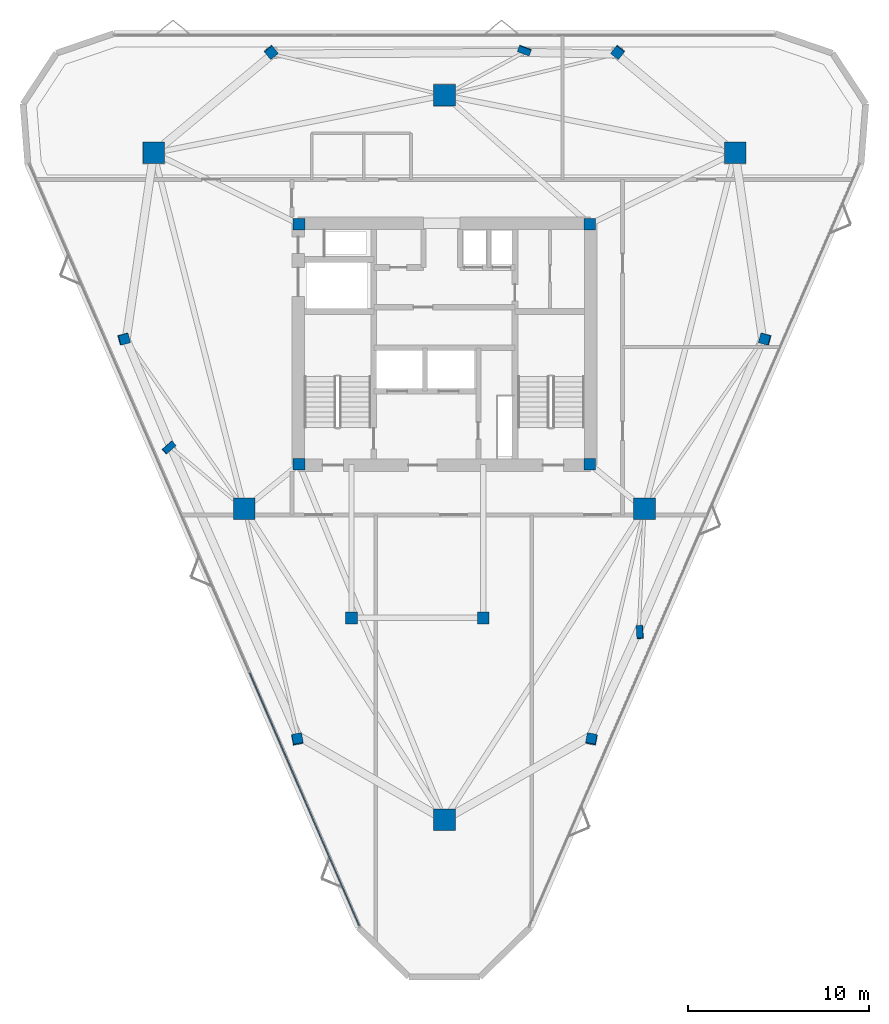
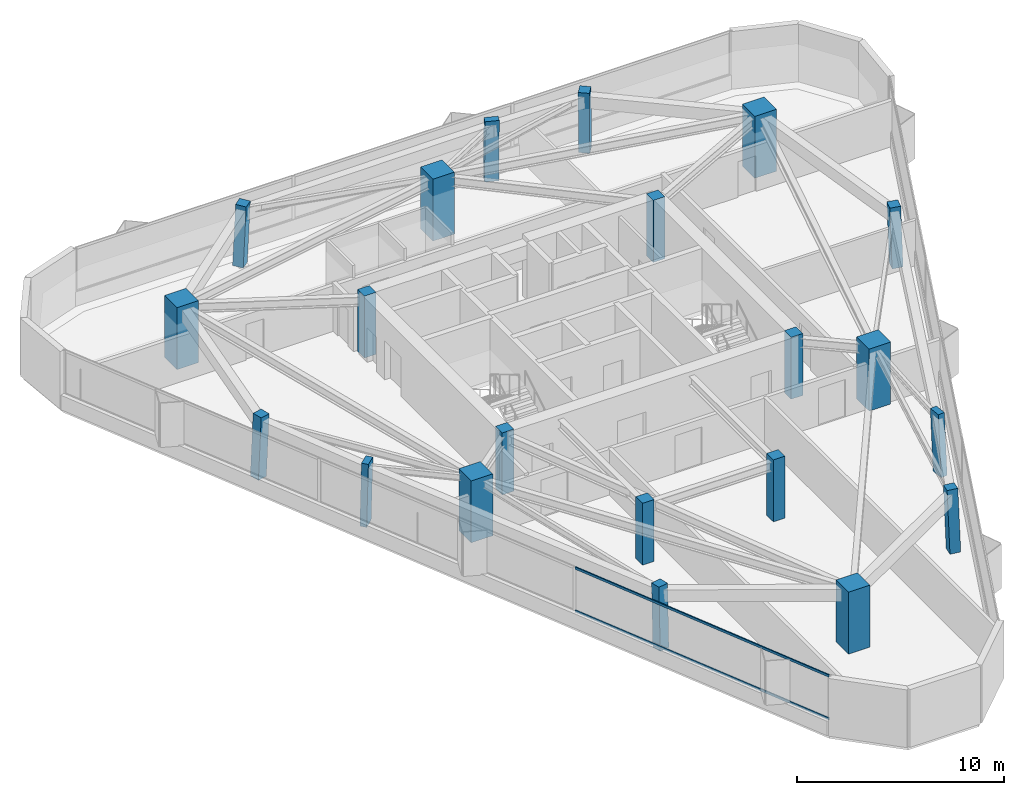
# One storey, part 1 of 12: 21 columns, 2 members, 1 element without a shape of its own.
"""IFC4 building model written with IfcOpenShell, lengths in metres."""

import ifcopenshell
import ifcopenshell.guid

model = None  # the IFC model being written
_history = None  # IfcOwnerHistory: only IFC2X3 demands one
_inside = {}  # id of a spatial element -> (the spatial element, [elements in it])
_under = {}  # id of a project, library or spatial element -> (it, [spatial elements below it])
_declared = {}  # id of a project -> (the project, [libraries it declares])
_typed = {}  # id of a type object -> (the type object, [elements of that type])
_made_of = {}  # id of a material, layer set ... -> (it, [elements and type objects made of it])


def new_model(schema):
    """Start an empty IFC model of exactly this schema.

    Asked for "IFC4X3", IfcOpenShell would pick the latest addendum, in which some entities
    have other attributes; the version numbers below select the first issue.
    IFC2X3 requires an IfcOwnerHistory on every rooted entity: one is made here for all.
    """
    global model, _history
    if schema == "IFC4X3":
        model = ifcopenshell.file(schema_version=(4, 3, 0, 0))
    else:
        model = ifcopenshell.file(schema=schema)
    _inside.clear()
    _under.clear()
    _declared.clear()
    _typed.clear()
    _made_of.clear()
    _history = None
    if model.schema == "IFC2X3":
        org = make("IfcOrganization", Name="unknown")
        user = make(
            "IfcPersonAndOrganization",
            ThePerson=make("IfcPerson", FamilyName="unknown"),
            TheOrganization=org,
        )
        app = make(
            "IfcApplication",
            ApplicationDeveloper=org,
            Version="unknown",
            ApplicationFullName="unknown",
            ApplicationIdentifier="unknown",
        )
        _history = make(
            "IfcOwnerHistory",
            OwningUser=user,
            OwningApplication=app,
            ChangeAction="ADDED",
            CreationDate=0,
        )
    return model


def make(cls, **values):
    """One entity of the class cls with the attributes given. An attribute that is None is left unset."""
    return model.create_entity(
        cls, **{name: value for name, value in values.items() if value is not None}
    )


def rooted(cls, **values):
    """An entity with a GlobalId (a new one), such as an element, a storey or a relation."""
    return make(cls, GlobalId=ifcopenshell.guid.new(), OwnerHistory=_history, **values)


def si_unit(unit_type, name, prefix=None):
    """IfcSIUnit, for example si_unit("LENGTHUNIT", "METRE", prefix="MILLI")."""
    return make("IfcSIUnit", UnitType=unit_type, Prefix=prefix, Name=name)


def assignment(units):
    """IfcUnitAssignment: the units of a project."""
    return None if units is None else make("IfcUnitAssignment", Units=units)


def point(xyz):
    """IfcCartesianPoint."""
    return None if xyz is None else make("IfcCartesianPoint", Coordinates=xyz)


def direction(xyz):
    """IfcDirection."""
    return None if xyz is None else make("IfcDirection", DirectionRatios=xyz)


def frame(location, z_axis=None, x_axis=None):
    """IfcAxis2Placement3D, a coordinate frame: its origin and axes. An axis left out is left unset."""
    return make(
        "IfcAxis2Placement3D",
        Location=point(location),
        Axis=direction(z_axis),
        RefDirection=direction(x_axis),
    )


def frame_2d(location, x_axis=None):
    """IfcAxis2Placement2D, a coordinate frame in the plane: its origin and x axis."""
    return make(
        "IfcAxis2Placement2D", Location=point(location), RefDirection=direction(x_axis)
    )


def origin():
    """The frame at (0, 0, 0) with its axes left unset."""
    return frame((0.0, 0.0, 0.0))


def origin_2d():
    """The frame at (0, 0) in the plane with its x axis left unset."""
    return frame_2d((0.0, 0.0))


def place(relative_to, where):
    """IfcLocalPlacement: puts the frame where relative to a parent placement (None: the world)."""
    return make(
        "IfcLocalPlacement", PlacementRelTo=relative_to, RelativePlacement=where
    )


def context(
    kind, dimensions, precision=None, world=None, true_north=None, identifier=None
):
    """IfcGeometricRepresentationContext, for example the 3D "Model" context."""
    return make(
        "IfcGeometricRepresentationContext",
        ContextIdentifier=identifier,
        ContextType=kind,
        CoordinateSpaceDimension=dimensions,
        Precision=precision,
        WorldCoordinateSystem=world,
        TrueNorth=true_north,
    )


def subcontext(parent, identifier, kind, view, scale=None):
    """IfcGeometricRepresentationSubContext, for example "Body" below "Model"."""
    return make(
        "IfcGeometricRepresentationSubContext",
        ContextIdentifier=identifier,
        ContextType=kind,
        ParentContext=parent,
        TargetScale=scale,
        TargetView=view,
    )


def project(units=None, contexts=None):
    """IfcProject with its units and contexts."""
    return rooted(
        "IfcProject",
        Name="project",
        RepresentationContexts=contexts,
        UnitsInContext=assignment(units),
    )


def spatial(cls, under=None, at=None, **own):
    """A site, building, storey or space (cls), placed at a placement, below another one or the project."""
    s = rooted(cls, ObjectPlacement=at, **own)
    if under is not None:
        _under.setdefault(under.id(), (under, []))[1].append(s)
    return s


def profile(cls, at=None, kind="AREA", **sizes):
    """A parametric profile (cls). Its sizes go by their IFC names, for example OverallWidth=200.0."""
    return make(cls, ProfileType=kind, Position=at, **sizes)


def rectangle(**sizes):
    """IfcRectangleProfileDef."""
    return profile("IfcRectangleProfileDef", **sizes)


def extrude(swept, where, along, depth):
    """IfcExtrudedAreaSolid: the profile swept, set in the frame where, extruded along a direction by depth."""
    return make(
        "IfcExtrudedAreaSolid",
        SweptArea=swept,
        Position=where,
        ExtrudedDirection=direction(along),
        Depth=depth,
    )


def shape(context_of_items, identifier, shape_type, items):
    """IfcShapeRepresentation: the items that make up one representation, for example the "Body"."""
    return make(
        "IfcShapeRepresentation",
        ContextOfItems=context_of_items,
        RepresentationIdentifier=identifier,
        RepresentationType=shape_type,
        Items=items,
    )


def material(Name=None, Category=None):
    """IfcMaterial."""
    return make("IfcMaterial", Name=Name, Category=Category)


def layer(
    of_material, thickness, ventilated=None, Name=None, Category=None, Priority=None
):
    """IfcMaterialLayer: one layer of a wall or slab, of a material (None: an air gap)."""
    return make(
        "IfcMaterialLayer",
        Material=of_material,
        LayerThickness=thickness,
        IsVentilated=ventilated,
        Name=Name,
        Category=Category,
        Priority=Priority,
    )


def layer_set(layers, Name=None):
    """IfcMaterialLayerSet."""
    return make("IfcMaterialLayerSet", MaterialLayers=layers, LayerSetName=Name)


def material_profile(
    of_material, cross_section, Name=None, Category=None, Priority=None
):
    """IfcMaterialProfile: a cross section and its material."""
    return make(
        "IfcMaterialProfile",
        Name=Name,
        Material=of_material,
        Profile=cross_section,
        Priority=Priority,
        Category=Category,
    )


def profile_set(profiles, Name=None, composite=None):
    """IfcMaterialProfileSet."""
    return make(
        "IfcMaterialProfileSet",
        Name=Name,
        MaterialProfiles=profiles,
        CompositeProfile=composite,
    )


def made_of(thing, what):
    """Note that an element or type object is made of a material, layer set ...; save() writes the relation."""
    if what is not None:
        _made_of.setdefault(what.id(), (what, []))[1].append(thing)
    return thing


def type_object(cls, material=None, **own):
    """A type object (cls), such as IfcWallType, which elements share."""
    return made_of(rooted(cls, **own), material)


def element(
    cls,
    number,
    at=None,
    inside=None,
    cuts=None,
    type_object=None,
    material=None,
    context=None,
    identifier="Body",
    shape_type=None,
    held_by="IfcProductDefinitionShape",
    body=None,
    shapes=None,
    **own,
):
    """One element of the class cls, such as IfcWall. Its Tag is "e" and its number.

    at: its placement. inside: the storey or other place that contains it. cuts: it is an
    opening in that element (IfcRelVoidsElement). A single representation is given by context,
    identifier, shape_type and body (its items); several are given by shapes. held_by: the class
    of the entity that holds the representations. save() writes the other relations.
    """
    e = rooted(cls, Tag="e%d" % number, ObjectPlacement=at, **own)
    if body is not None:
        shapes = [shape(context, identifier, shape_type, body)]
    if shapes is not None:
        e.Representation = make(held_by, Representations=shapes)
    if inside is not None:
        _inside.setdefault(inside.id(), (inside, []))[1].append(e)
    if cuts is not None:
        rooted(
            "IfcRelVoidsElement", RelatingBuildingElement=cuts, RelatedOpeningElement=e
        )
    if type_object is not None:
        _typed.setdefault(type_object.id(), (type_object, []))[1].append(e)
    return made_of(e, material)


def aggregate(whole, parts):
    """IfcRelAggregates: a whole, such as a stair, and the parts it consists of."""
    return rooted("IfcRelAggregates", RelatingObject=whole, RelatedObjects=parts)


def save(model, path):
    """Write the relations noted so far, then the file.

    IfcRelAggregates (storeys below a building ...), IfcRelContainedInSpatialStructure (elements
    in a storey), IfcRelDefinesByType, IfcRelAssociatesMaterial and IfcRelDeclares: one each for
    every whole, place, type object, material and project.
    """
    for whole, parts in _under.values():
        aggregate(whole, parts)
    for where, things in _inside.values():
        rooted(
            "IfcRelContainedInSpatialStructure",
            RelatedElements=things,
            RelatingStructure=where,
        )
    for kind, things in _typed.values():
        rooted("IfcRelDefinesByType", RelatedObjects=things, RelatingType=kind)
    for what, things in _made_of.values():
        rooted("IfcRelAssociatesMaterial", RelatedObjects=things, RelatingMaterial=what)
    for by, libraries in _declared.values():
        rooted("IfcRelDeclares", RelatingContext=by, RelatedDefinitions=libraries)
    model.write(path)


model = new_model("IFC4")

# Units and contexts
model_context = context("Model", 3, precision=1e-05, world=origin(), true_north=direction((0.0, 1.0)))
body_context = subcontext(model_context, "Body", "Model", "MODEL_VIEW")
ifc_project = project(units=[si_unit("LENGTHUNIT", "METRE"), si_unit("AREAUNIT", "SQUARE_METRE"), si_unit("VOLUMEUNIT", "CUBIC_METRE"), si_unit("PLANEANGLEUNIT", "RADIAN"), si_unit("MASSUNIT", "GRAM", prefix="KILO")], contexts=[model_context])

# Site, building, storey
site_placement = place(None, origin())
site = spatial("IfcSite", under=ifc_project, at=site_placement, CompositionType="ELEMENT")
building_placement = place(site_placement, origin())
building = spatial("IfcBuilding", under=site, at=building_placement, Name="Talyreon Biosciences Tower", CompositionType="ELEMENT")
storey_placement = place(building_placement, frame((0.0, 0.0, 246.199951171875)))
storey = spatial("IfcBuildingStorey", under=building, at=storey_placement, Name="L65", CompositionType="ELEMENT", Elevation=246.199951171875)

# Columns
ifc_material_1 = material(Name="Precast concrete C45/55", Category="concrete")
ifc_material_profile_1 = material_profile(ifc_material_1, rectangle(XDim=0.699951171875, YDim=0.35009765625, at=origin_2d()), Name="RC 700x350")
ifc_profile_set_1 = profile_set([ifc_material_profile_1], Name="Precast concrete C45/55")
column_type_1 = type_object("IfcColumnType", Name="FacadePilaster_700x350", PredefinedType="PILASTER", material=ifc_profile_set_1)
column_1_placement = place(storey_placement, frame((76.8349609375, 52.0341796875, 0.0029296875), z_axis=(-0.019612004119, 0.038286915892, 0.999074312234), x_axis=(0.064009904492, -0.997168400751, 0.039470402469)))
element("IfcColumn", 1, at=column_1_placement, inside=storey, type_object=column_type_1, Name="L65 Facade Pilaster PL-SE", PredefinedType="PILASTER", context=body_context, shape_type="SweptSolid", body=[
    extrude(rectangle(XDim=0.699951171875, YDim=0.35009765625, at=origin_2d()), origin(), (0.0, 0.0, 1.0), 3.6474609375),
])
column_2_placement = place(storey_placement, frame((70.438232421875, 84.2900390625, 0.0029296875), z_axis=(-0.012453496874, -0.033544096418, 0.99935964698), x_axis=(-0.937477612418, 0.348045580658, 0.0)))
element("IfcColumn", 2, at=column_2_placement, inside=storey, type_object=column_type_1, Name="L65 Facade Pilaster PL-N", PredefinedType="PILASTER", context=body_context, shape_type="SweptSolid", body=[
    extrude(rectangle(XDim=0.699951171875, YDim=0.35009765625, at=origin_2d()), origin(), (0.0, 0.0, 1.0), 3.646484375),
])
column_3_placement = place(storey_placement, frame((50.72705078125, 62.275146484375, 0.0029296875), z_axis=(0.031939586172, 0.010512610124, 0.999434514045), x_axis=(0.74673175629, 0.664409370737, -0.030852426568)))
element("IfcColumn", 3, at=column_3_placement, inside=storey, type_object=column_type_1, Name="L65 Facade Pilaster PL-SW", PredefinedType="PILASTER", context=body_context, shape_type="SweptSolid", body=[
    extrude(rectangle(XDim=0.699951171875, YDim=0.35009765625, at=origin_2d()), origin(), (0.0, 0.0, 1.0), 3.64599609375),
])
ifc_material_2 = material(Name="Concrete C50/60", Category="concrete")
ifc_material_profile_2 = material_profile(ifc_material_2, rectangle(XDim=1.199951171875, YDim=1.199951171875, at=origin_2d()), Name="RC 1200x1200")
ifc_profile_set_2 = profile_set([ifc_material_profile_2], Name="Concrete C50/60")
column_type_2 = type_object("IfcColumnType", Name="MegaColumn_1200", PredefinedType="COLUMN", material=ifc_profile_set_2)
for number, where, z_axis, x_axis, name in (
    (4, (66.0, 41.6669921875, 0.0), (0.0, 0.0, 1.0), (1.0, 0.0, 0.0), "L65 Composite Mega-Column MC1"),
    (5, (82.102294921875, 78.5986328125, 0.0), (0.0, 0.0, 1.0), (1.0, 0.0, 0.0), "L65 Composite Mega-Column MC2"),
    (6, (49.897705078125, 78.5986328125, 0.0), (0.0, 0.0, 1.0), (1.0, 0.0, 0.0), "L65 Composite Mega-Column MC3"),
    (7, (77.086181640625, 58.88037109375, 0.0), (0.0, 0.0, 1.0), (1.0, 0.0, 0.0), "L65 Composite Mega-Column MC4"),
    (8, (66.0, 81.788818359375, 0.0), (0.0, 0.0, 1.0), (1.0, 0.0, 0.0), "L65 Composite Mega-Column MC5"),
    (9, (54.913818359375, 58.88037109375, 0.0), (0.0, 0.0, 1.0), (1.0, 0.0, 0.0), "L65 Composite Mega-Column MC6"),
):
    element("IfcColumn", number, at=place(storey_placement, frame(where, z_axis=z_axis, x_axis=x_axis)), inside=storey, type_object=column_type_2, Name=name, PredefinedType="COLUMN", context=body_context, shape_type="SweptSolid", body=[
        extrude(rectangle(XDim=1.199951171875, YDim=1.199951171875, at=origin_2d()), origin(), (0.0, 0.0, 1.0), 3.650146484375),
    ])
ifc_material_profile_3 = material_profile(ifc_material_2, rectangle(XDim=0.550048828125, YDim=0.550048828125, at=origin_2d()), Name="RC 550x550")
ifc_profile_set_3 = profile_set([ifc_material_profile_3], Name="Concrete C50/60")
column_type_3 = type_object("IfcColumnType", Name="PerimeterColumn_550", PredefinedType="COLUMN", material=ifc_profile_set_3)
column_4_placement = place(storey_placement, frame((74.154296875, 46.10009765625, 0.0029296875), z_axis=(-0.012375141264, 0.054450621561, 0.998439775695), x_axis=(-0.184727229064, -0.981453442733, 0.051234662)))
element("IfcColumn", 10, at=column_4_placement, inside=storey, type_object=column_type_3, Name="L65 Tapering Perimeter Column PC-SE1", PredefinedType="COLUMN", context=body_context, shape_type="SweptSolid", body=[
    extrude(rectangle(XDim=0.550048828125, YDim=0.550048828125, at=origin_2d()), origin(), (0.0, 0.0, 1.0), 3.649658203125),
])
column_5_placement = place(storey_placement, frame((83.770263671875, 68.288818359375, 0.0029296875), z_axis=(-0.039229493406, -0.00569028488, 0.999214024874), x_axis=(0.964404590623, -0.261917761609, 0.03637130379)))
element("IfcColumn", 11, at=column_5_placement, inside=storey, type_object=column_type_3, Name="L65 Tapering Perimeter Column PC-SE2", PredefinedType="COLUMN", context=body_context, shape_type="SweptSolid", body=[
    extrude(rectangle(XDim=0.550048828125, YDim=0.550048828125, at=origin_2d()), origin(), (0.0, 0.0, 1.0), 3.64697265625),
])
for number, where, z_axis, x_axis, name in (
    (12, (75.615966796875, 84.190185546875, 0.0029296875), (-0.026841076243, -0.033534611465, 0.999077067328), (-0.780716755404, 0.624885067698, 0.0), "L65 Tapering Perimeter Column PC-N1"),
    (13, (56.384033203125, 84.190185546875, 0.0029296875), (0.026841076243, -0.033534611465, 0.999077067328), (-0.780716755404, -0.624885067698, 0.0), "L65 Tapering Perimeter Column PC-N2"),
):
    element("IfcColumn", number, at=place(storey_placement, frame(where, z_axis=z_axis, x_axis=x_axis)), inside=storey, type_object=column_type_3, Name=name, PredefinedType="COLUMN", context=body_context, shape_type="SweptSolid", body=[
        extrude(rectangle(XDim=0.550048828125, YDim=0.550048828125, at=origin_2d()), origin(), (0.0, 0.0, 1.0), 3.6474609375),
    ])
column_6_placement = place(storey_placement, frame((48.229736328125, 68.288818359375, 0.0029296875), z_axis=(0.039229493406, -0.00569028488, 0.999214024874), x_axis=(0.964404590623, 0.261917761609, -0.03637130379)))
element("IfcColumn", 14, at=column_6_placement, inside=storey, type_object=column_type_3, Name="L65 Tapering Perimeter Column PC-SW1", PredefinedType="COLUMN", context=body_context, shape_type="SweptSolid", body=[
    extrude(rectangle(XDim=0.550048828125, YDim=0.550048828125, at=origin_2d()), origin(), (0.0, 0.0, 1.0), 3.64697265625),
])
column_7_placement = place(storey_placement, frame((57.845703125, 46.10009765625, 0.0029296875), z_axis=(0.012375141264, 0.054450621561, 0.998439775695), x_axis=(-0.184727229064, 0.981453442733, -0.051234662)))
element("IfcColumn", 15, at=column_7_placement, inside=storey, type_object=column_type_3, Name="L65 Tapering Perimeter Column PC-SW2", PredefinedType="COLUMN", context=body_context, shape_type="SweptSolid", body=[
    extrude(rectangle(XDim=0.550048828125, YDim=0.550048828125, at=origin_2d()), origin(), (0.0, 0.0, 1.0), 3.649658203125),
])
ifc_material_profile_4 = material_profile(ifc_material_2, rectangle(XDim=0.64990234375, YDim=0.64990234375, at=origin_2d()), Name="RC 650x650")
ifc_profile_set_4 = profile_set([ifc_material_profile_4], Name="Concrete C50/60")
column_type_4 = type_object("IfcColumnType", Name="PerimeterColumn_650", PredefinedType="COLUMN", material=ifc_profile_set_4)
for number, where, z_axis, x_axis, name in (
    (16, (57.949951171875, 61.35009765625, 0.0), (0.0, 0.0, 1.0), (1.0, 0.0, 0.0), "L65 Core Column CC1"),
    (17, (74.050048828125, 61.35009765625, 0.0), (0.0, 0.0, 1.0), (1.0, 0.0, 0.0), "L65 Core Column CC2"),
    (18, (74.050048828125, 74.64990234375, 0.0), (0.0, 0.0, 1.0), (1.0, 0.0, 0.0), "L65 Core Column CC3"),
    (19, (57.949951171875, 74.64990234375, 0.0), (0.0, 0.0, 1.0), (1.0, 0.0, 0.0), "L65 Core Column CC4"),
    (20, (60.85009765625, 52.840087890625, 0.0), (0.0, 0.0, 1.0), (1.0, 0.0, 0.0), "L65 Core Column CSW"),
    (21, (68.14990234375, 52.840087890625, 0.0), (0.0, 0.0, 1.0), (1.0, 0.0, 0.0), "L65 Core Column CSE"),
):
    element("IfcColumn", number, at=place(storey_placement, frame(where, z_axis=z_axis, x_axis=x_axis)), inside=storey, type_object=column_type_4, Name=name, PredefinedType="COLUMN", context=body_context, shape_type="SweptSolid", body=[
        extrude(rectangle(XDim=0.64990234375, YDim=0.64990234375, at=origin_2d()), origin(), (0.0, 0.0, 1.0), 3.650146484375),
    ])

# Curtain wall, members
ifc_material_3 = material(Name="Thermally broken aluminium and low-E glazing", Category="aluminium")
ifc_layer = layer(ifc_material_3, 0.175048828125)
ifc_layer_set = layer_set([ifc_layer], Name="Thermally broken aluminium and low-E glazing")
curtain_wall_type = type_object("IfcCurtainWallType", Name="CurtainWall_Zone5CompLab", PredefinedType="NOTDEFINED", material=ifc_layer_set)
curtain_wall_placement = place(storey_placement, origin())
curtain_wall = element("IfcCurtainWall", 22, at=curtain_wall_placement, inside=storey, type_object=curtain_wall_type, Name="L65 Unitised Curtain Wall FCW-L65-00", PredefinedType="NOTDEFINED")
ifc_material_4 = material(Name="Anodised thermally broken aluminium", Category="aluminium")
ifc_material_profile_5 = material_profile(ifc_material_4, rectangle(XDim=0.06494140625, YDim=0.139892578125, at=origin_2d()), Name="ALUM TRANSOM 65x140")
ifc_profile_set_5 = profile_set([ifc_material_profile_5], Name="Anodised thermally broken aluminium")
member_type = type_object("IfcMemberType", Name="CWTransom_65x140", PredefinedType="USERDEFINED", material=ifc_profile_set_5)
member_1_placement = place(storey_placement, frame((61.276123046875, 35.79345703125, 0.842529296875), z_axis=(-0.397535103943, 0.917586966523, 0.0), x_axis=(-0.917586966523, -0.397535103943, 0.0)))
member_1 = element("IfcMember", 23, at=member_1_placement, type_object=member_type, Name="CW6 transom 1.1", ObjectType="TRANSOM", PredefinedType="USERDEFINED", context=body_context, shape_type="SweptSolid", body=[
    extrude(rectangle(XDim=0.06494140625, YDim=0.139892578125, at=origin_2d()), origin(), (0.0, 0.0, 1.0), 15.250244140625),
])
member_2_placement = place(storey_placement, frame((61.276123046875, 35.79345703125, 3.367431640625), z_axis=(-0.397535103943, 0.917586966523, 0.0), x_axis=(-0.917586966523, -0.397535103943, 0.0)))
member_2 = element("IfcMember", 24, at=member_2_placement, type_object=member_type, Name="CW6 transom 1.2", ObjectType="TRANSOM", PredefinedType="USERDEFINED", context=body_context, shape_type="SweptSolid", body=[
    extrude(rectangle(XDim=0.06494140625, YDim=0.139892578125, at=origin_2d()), origin(), (0.0, 0.0, 1.0), 15.250244140625),
])
aggregate(curtain_wall, [member_1, member_2])

save(model, "model.ifc")
